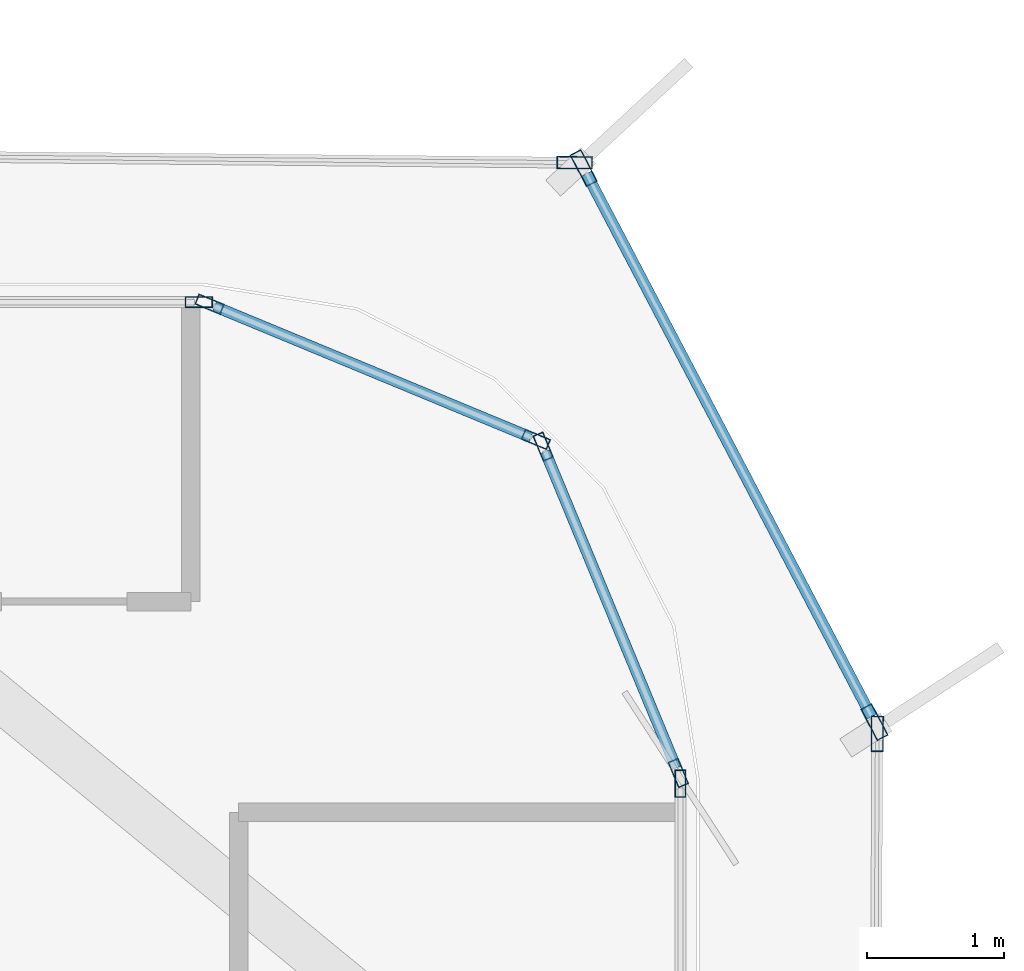
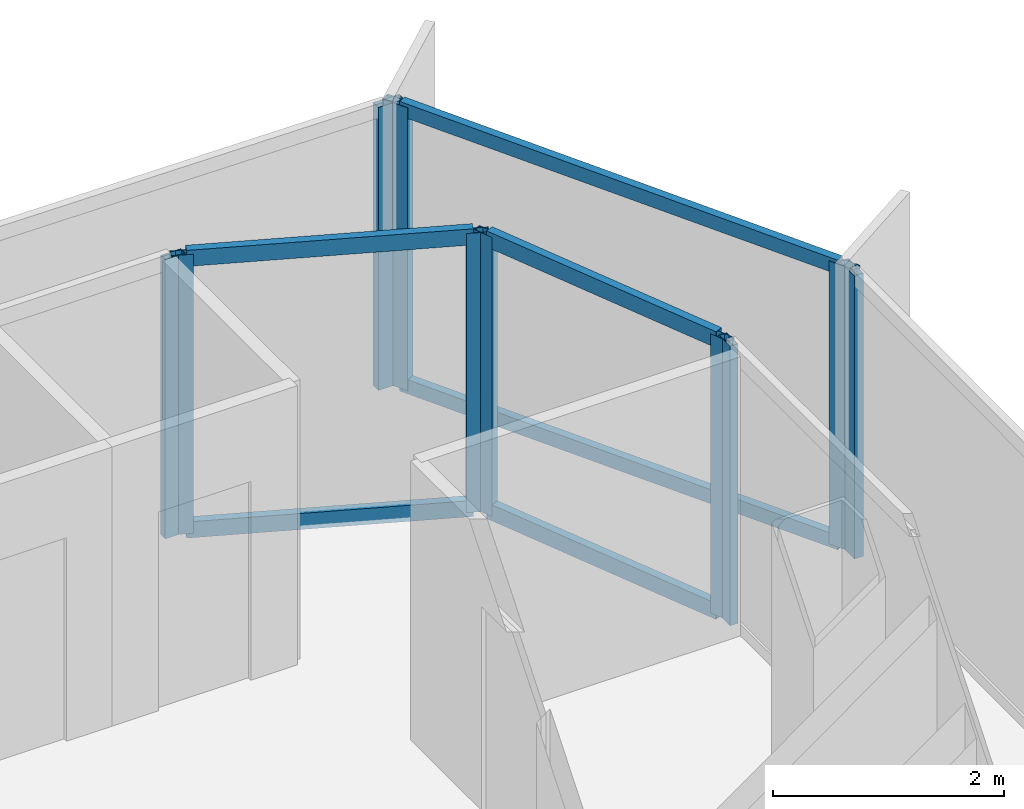
# One storey, part 8 of 15: 16 members, 7 elements without a shape of their own.
"""IFC4 building model written with IfcOpenShell, lengths in metres."""

import ifcopenshell
import ifcopenshell.guid

model = None  # the IFC model being written
_history = None  # IfcOwnerHistory: only IFC2X3 demands one
_inside = {}  # id of a spatial element -> (the spatial element, [elements in it])
_under = {}  # id of a project, library or spatial element -> (it, [spatial elements below it])
_declared = {}  # id of a project -> (the project, [libraries it declares])
_typed = {}  # id of a type object -> (the type object, [elements of that type])
_made_of = {}  # id of a material, layer set ... -> (it, [elements and type objects made of it])


def new_model(schema):
    """Start an empty IFC model of exactly this schema.

    Asked for "IFC4X3", IfcOpenShell would pick the latest addendum, in which some entities
    have other attributes; the version numbers below select the first issue.
    IFC2X3 requires an IfcOwnerHistory on every rooted entity: one is made here for all.
    """
    global model, _history
    if schema == "IFC4X3":
        model = ifcopenshell.file(schema_version=(4, 3, 0, 0))
    else:
        model = ifcopenshell.file(schema=schema)
    _inside.clear()
    _under.clear()
    _declared.clear()
    _typed.clear()
    _made_of.clear()
    _history = None
    if model.schema == "IFC2X3":
        org = make("IfcOrganization", Name="unknown")
        user = make(
            "IfcPersonAndOrganization",
            ThePerson=make("IfcPerson", FamilyName="unknown"),
            TheOrganization=org,
        )
        app = make(
            "IfcApplication",
            ApplicationDeveloper=org,
            Version="unknown",
            ApplicationFullName="unknown",
            ApplicationIdentifier="unknown",
        )
        _history = make(
            "IfcOwnerHistory",
            OwningUser=user,
            OwningApplication=app,
            ChangeAction="ADDED",
            CreationDate=0,
        )
    return model


def make(cls, **values):
    """One entity of the class cls with the attributes given. An attribute that is None is left unset."""
    return model.create_entity(
        cls, **{name: value for name, value in values.items() if value is not None}
    )


def rooted(cls, **values):
    """An entity with a GlobalId (a new one), such as an element, a storey or a relation."""
    return make(cls, GlobalId=ifcopenshell.guid.new(), OwnerHistory=_history, **values)


def si_unit(unit_type, name, prefix=None):
    """IfcSIUnit, for example si_unit("LENGTHUNIT", "METRE", prefix="MILLI")."""
    return make("IfcSIUnit", UnitType=unit_type, Prefix=prefix, Name=name)


def assignment(units):
    """IfcUnitAssignment: the units of a project."""
    return None if units is None else make("IfcUnitAssignment", Units=units)


def point(xyz):
    """IfcCartesianPoint."""
    return None if xyz is None else make("IfcCartesianPoint", Coordinates=xyz)


def direction(xyz):
    """IfcDirection."""
    return None if xyz is None else make("IfcDirection", DirectionRatios=xyz)


def frame(location, z_axis=None, x_axis=None):
    """IfcAxis2Placement3D, a coordinate frame: its origin and axes. An axis left out is left unset."""
    return make(
        "IfcAxis2Placement3D",
        Location=point(location),
        Axis=direction(z_axis),
        RefDirection=direction(x_axis),
    )


def frame_2d(location, x_axis=None):
    """IfcAxis2Placement2D, a coordinate frame in the plane: its origin and x axis."""
    return make(
        "IfcAxis2Placement2D", Location=point(location), RefDirection=direction(x_axis)
    )


def origin():
    """The frame at (0, 0, 0) with its axes left unset."""
    return frame((0.0, 0.0, 0.0))


def origin_2d():
    """The frame at (0, 0) in the plane with its x axis left unset."""
    return frame_2d((0.0, 0.0))


def place(relative_to, where):
    """IfcLocalPlacement: puts the frame where relative to a parent placement (None: the world)."""
    return make(
        "IfcLocalPlacement", PlacementRelTo=relative_to, RelativePlacement=where
    )


def context(
    kind, dimensions, precision=None, world=None, true_north=None, identifier=None
):
    """IfcGeometricRepresentationContext, for example the 3D "Model" context."""
    return make(
        "IfcGeometricRepresentationContext",
        ContextIdentifier=identifier,
        ContextType=kind,
        CoordinateSpaceDimension=dimensions,
        Precision=precision,
        WorldCoordinateSystem=world,
        TrueNorth=true_north,
    )


def subcontext(parent, identifier, kind, view, scale=None):
    """IfcGeometricRepresentationSubContext, for example "Body" below "Model"."""
    return make(
        "IfcGeometricRepresentationSubContext",
        ContextIdentifier=identifier,
        ContextType=kind,
        ParentContext=parent,
        TargetScale=scale,
        TargetView=view,
    )


def project(units=None, contexts=None):
    """IfcProject with its units and contexts."""
    return rooted(
        "IfcProject",
        Name="project",
        RepresentationContexts=contexts,
        UnitsInContext=assignment(units),
    )


def spatial(cls, under=None, at=None, **own):
    """A site, building, storey or space (cls), placed at a placement, below another one or the project."""
    s = rooted(cls, ObjectPlacement=at, **own)
    if under is not None:
        _under.setdefault(under.id(), (under, []))[1].append(s)
    return s


def profile(cls, at=None, kind="AREA", **sizes):
    """A parametric profile (cls). Its sizes go by their IFC names, for example OverallWidth=200.0."""
    return make(cls, ProfileType=kind, Position=at, **sizes)


def hollow_rectangle(**sizes):
    """IfcRectangleHollowProfileDef."""
    return profile("IfcRectangleHollowProfileDef", **sizes)


def extrude(swept, where, along, depth):
    """IfcExtrudedAreaSolid: the profile swept, set in the frame where, extruded along a direction by depth."""
    return make(
        "IfcExtrudedAreaSolid",
        SweptArea=swept,
        Position=where,
        ExtrudedDirection=direction(along),
        Depth=depth,
    )


def shape(context_of_items, identifier, shape_type, items):
    """IfcShapeRepresentation: the items that make up one representation, for example the "Body"."""
    return make(
        "IfcShapeRepresentation",
        ContextOfItems=context_of_items,
        RepresentationIdentifier=identifier,
        RepresentationType=shape_type,
        Items=items,
    )


def source(mapping_origin, context_of_items, identifier, shape_type, items):
    """IfcRepresentationMap: a shape defined once, which mapped items show again and again."""
    return make(
        "IfcRepresentationMap",
        MappingOrigin=mapping_origin,
        MappedRepresentation=shape(context_of_items, identifier, shape_type, items),
    )


def transform(
    local_origin,
    x_axis=None,
    y_axis=None,
    z_axis=None,
    scale=None,
    scale2=None,
    scale3=None,
    uniform=True,
):
    """IfcCartesianTransformationOperator3D, or its non-uniform kind. x_axis, y_axis, z_axis: its Axis1, 2, 3."""
    if uniform:
        return make(
            "IfcCartesianTransformationOperator3D",
            Axis1=direction(x_axis),
            Axis2=direction(y_axis),
            LocalOrigin=point(local_origin),
            Scale=scale,
            Axis3=direction(z_axis),
        )
    return make(
        "IfcCartesianTransformationOperator3DnonUniform",
        Axis1=direction(x_axis),
        Axis2=direction(y_axis),
        LocalOrigin=point(local_origin),
        Scale=scale,
        Axis3=direction(z_axis),
        Scale2=scale2,
        Scale3=scale3,
    )


def mapped(mapping_source, mapping_target):
    """IfcMappedItem: shows the shape of a source again, moved by a transform."""
    return make(
        "IfcMappedItem", MappingSource=mapping_source, MappingTarget=mapping_target
    )


def material(Name=None, Category=None):
    """IfcMaterial."""
    return make("IfcMaterial", Name=Name, Category=Category)


def layer(
    of_material, thickness, ventilated=None, Name=None, Category=None, Priority=None
):
    """IfcMaterialLayer: one layer of a wall or slab, of a material (None: an air gap)."""
    return make(
        "IfcMaterialLayer",
        Material=of_material,
        LayerThickness=thickness,
        IsVentilated=ventilated,
        Name=Name,
        Category=Category,
        Priority=Priority,
    )


def layer_set(layers, Name=None):
    """IfcMaterialLayerSet."""
    return make("IfcMaterialLayerSet", MaterialLayers=layers, LayerSetName=Name)


def material_profile(
    of_material, cross_section, Name=None, Category=None, Priority=None
):
    """IfcMaterialProfile: a cross section and its material."""
    return make(
        "IfcMaterialProfile",
        Name=Name,
        Material=of_material,
        Profile=cross_section,
        Priority=Priority,
        Category=Category,
    )


def profile_set(profiles, Name=None, composite=None):
    """IfcMaterialProfileSet."""
    return make(
        "IfcMaterialProfileSet",
        Name=Name,
        MaterialProfiles=profiles,
        CompositeProfile=composite,
    )


def made_of(thing, what):
    """Note that an element or type object is made of a material, layer set ...; save() writes the relation."""
    if what is not None:
        _made_of.setdefault(what.id(), (what, []))[1].append(thing)
    return thing


def type_object(cls, material=None, **own):
    """A type object (cls), such as IfcWallType, which elements share."""
    return made_of(rooted(cls, **own), material)


def element(
    cls,
    number,
    at=None,
    inside=None,
    cuts=None,
    type_object=None,
    material=None,
    context=None,
    identifier="Body",
    shape_type=None,
    held_by="IfcProductDefinitionShape",
    body=None,
    shapes=None,
    **own,
):
    """One element of the class cls, such as IfcWall. Its Tag is "e" and its number.

    at: its placement. inside: the storey or other place that contains it. cuts: it is an
    opening in that element (IfcRelVoidsElement). A single representation is given by context,
    identifier, shape_type and body (its items); several are given by shapes. held_by: the class
    of the entity that holds the representations. save() writes the other relations.
    """
    e = rooted(cls, Tag="e%d" % number, ObjectPlacement=at, **own)
    if body is not None:
        shapes = [shape(context, identifier, shape_type, body)]
    if shapes is not None:
        e.Representation = make(held_by, Representations=shapes)
    if inside is not None:
        _inside.setdefault(inside.id(), (inside, []))[1].append(e)
    if cuts is not None:
        rooted(
            "IfcRelVoidsElement", RelatingBuildingElement=cuts, RelatedOpeningElement=e
        )
    if type_object is not None:
        _typed.setdefault(type_object.id(), (type_object, []))[1].append(e)
    return made_of(e, material)


def aggregate(whole, parts):
    """IfcRelAggregates: a whole, such as a stair, and the parts it consists of."""
    return rooted("IfcRelAggregates", RelatingObject=whole, RelatedObjects=parts)


def save(model, path):
    """Write the relations noted so far, then the file.

    IfcRelAggregates (storeys below a building ...), IfcRelContainedInSpatialStructure (elements
    in a storey), IfcRelDefinesByType, IfcRelAssociatesMaterial and IfcRelDeclares: one each for
    every whole, place, type object, material and project.
    """
    for whole, parts in _under.values():
        aggregate(whole, parts)
    for where, things in _inside.values():
        rooted(
            "IfcRelContainedInSpatialStructure",
            RelatedElements=things,
            RelatingStructure=where,
        )
    for kind, things in _typed.values():
        rooted("IfcRelDefinesByType", RelatedObjects=things, RelatingType=kind)
    for what, things in _made_of.values():
        rooted("IfcRelAssociatesMaterial", RelatedObjects=things, RelatingMaterial=what)
    for by, libraries in _declared.values():
        rooted("IfcRelDeclares", RelatingContext=by, RelatedDefinitions=libraries)
    model.write(path)


model = new_model("IFC4")

# Units and contexts
model_context = context("Model", 3, precision=1e-05, world=origin(), true_north=direction((0.0, 1.0)))
body_context = subcontext(model_context, "Body", "Model", "MODEL_VIEW")
ifc_project = project(units=[si_unit("LENGTHUNIT", "METRE"), si_unit("AREAUNIT", "SQUARE_METRE"), si_unit("VOLUMEUNIT", "CUBIC_METRE"), si_unit("PLANEANGLEUNIT", "RADIAN"), si_unit("MASSUNIT", "GRAM", prefix="KILO")], contexts=[model_context])

# Site, building, storey
site_placement = place(None, origin())
site = spatial("IfcSite", under=ifc_project, at=site_placement, CompositionType="ELEMENT")
building_placement = place(site_placement, origin())
building = spatial("IfcBuilding", under=site, at=building_placement, Name="Kolveth Station Tower", CompositionType="ELEMENT")
storey_placement = place(building_placement, frame((0.0, 0.0, 199.60009765625)))
storey = spatial("IfcBuildingStorey", under=building, at=storey_placement, Name="L56", CompositionType="ELEMENT", Elevation=199.60009765625)

# Curtain wall, member
ifc_material_1 = material(Name="Aluminium 6063-T6 and low-E dark glass", Category="aluminium")
ifc_layer_1 = layer(ifc_material_1, 0.18994140625)
ifc_layer_set_1 = layer_set([ifc_layer_1], Name="Aluminium 6063-T6 and low-E dark glass")
curtain_wall_type_1 = type_object("IfcCurtainWallType", Name="CurtainWall_CW-Z2", PredefinedType="NOTDEFINED", material=ifc_layer_set_1)
curtain_wall_1_placement = place(storey_placement, origin())
curtain_wall_1 = element("IfcCurtainWall", 1, at=curtain_wall_1_placement, inside=storey, type_object=curtain_wall_type_1, Name="L56 Inner Thermal Curtain Wall 3", PredefinedType="NOTDEFINED")
ifc_material_2 = material(Name="Black anodized aluminium 6063-T6", Category="aluminium")
ifc_material_profile_1 = material_profile(ifc_material_2, hollow_rectangle(XDim=0.080078125, YDim=0.199951171875, WallThickness=0.0048828125, at=origin_2d()), Name="ALU-80x200x5")
ifc_profile_set_1 = profile_set([ifc_material_profile_1], Name="Black anodized aluminium 6063-T6")
member_type_1 = type_object("IfcMemberType", Name="Mullion_ML2", PredefinedType="MULLION", material=ifc_profile_set_1)
shared_shape_1 = source(origin(), body_context, "Body", "SweptSolid", [
    extrude(hollow_rectangle(XDim=0.080078125, YDim=0.199951171875, WallThickness=0.0048828125, at=origin_2d()), origin(), (0.0, 0.0, 1.0), 2.949951171875),
])
member_1_placement = place(storey_placement, frame((41.679931640625, 31.659912109375, 0.0), z_axis=(0.0, 0.0, 1.0), x_axis=(-1.0, 0.0, 0.0)))
member_1 = element("IfcMember", 2, at=member_1_placement, type_object=member_type_1, Name="CW-Z2 mullion 2", PredefinedType="MULLION", context=body_context, shape_type="MappedRepresentation", body=[
    mapped(shared_shape_1, transform((0.0, 0.0, 0.0), x_axis=(1.0, 0.0, 0.0), y_axis=(0.0, 1.0, 0.0), z_axis=(0.0, 0.0, 1.0), scale=1.0)),
])
aggregate(curtain_wall_1, [member_1])

# Curtain wall, members
curtain_wall_2_placement = place(storey_placement, origin())
curtain_wall_2 = element("IfcCurtainWall", 3, at=curtain_wall_2_placement, inside=storey, type_object=curtain_wall_type_1, Name="L56 Inner Thermal Curtain Wall 4", PredefinedType="NOTDEFINED")
member_2_placement = place(storey_placement, frame((41.664794921875, 31.737060546875, 0.0), z_axis=(0.0, 0.0, 1.0), x_axis=(-0.923873600544, -0.382697753087, 0.0)))
member_2 = element("IfcMember", 4, at=member_2_placement, type_object=member_type_1, Name="CW-Z2 mullion 1", PredefinedType="MULLION", context=body_context, shape_type="MappedRepresentation", body=[
    mapped(shared_shape_1, transform((0.0, 0.0, 0.0), x_axis=(1.0, 0.0, 0.0), y_axis=(0.0, 1.0, 0.0), z_axis=(0.0, 0.0, 1.0), scale=1.0)),
])
member_3_placement = place(storey_placement, frame((40.676025390625, 34.123779296875, 0.0), z_axis=(0.0, 0.0, 1.0), x_axis=(-0.923873600544, -0.382697753087, 0.0)))
member_3 = element("IfcMember", 5, at=member_3_placement, type_object=member_type_1, Name="CW-Z2 mullion 2", PredefinedType="MULLION", context=body_context, shape_type="MappedRepresentation", body=[
    mapped(shared_shape_1, transform((0.0, 0.0, 0.0), x_axis=(1.0, 0.0, 0.0), y_axis=(0.0, 1.0, 0.0), z_axis=(0.0, 0.0, 1.0), scale=1.0)),
])

curtain_wall_3_placement = place(storey_placement, origin())
curtain_wall_3 = element("IfcCurtainWall", 6, at=curtain_wall_3_placement, inside=storey, type_object=curtain_wall_type_1, Name="L56 Inner Thermal Curtain Wall 5", PredefinedType="NOTDEFINED")
member_4_placement = place(storey_placement, frame((40.623779296875, 34.176025390625, 0.0), z_axis=(0.0, 0.0, 1.0), x_axis=(-0.382697753087, -0.923873600544, 0.0)))
member_4 = element("IfcMember", 7, at=member_4_placement, type_object=member_type_1, Name="CW-Z2 mullion 1", PredefinedType="MULLION", context=body_context, shape_type="MappedRepresentation", body=[
    mapped(shared_shape_1, transform((0.0, 0.0, 0.0), x_axis=(1.0, 0.0, 0.0), y_axis=(0.0, 1.0, 0.0), z_axis=(0.0, 0.0, 1.0), scale=1.0)),
])
member_5_placement = place(storey_placement, frame((38.237060546875, 35.164794921875, 0.0), z_axis=(0.0, 0.0, 1.0), x_axis=(-0.382697753087, -0.923873600544, 0.0)))
member_5 = element("IfcMember", 8, at=member_5_placement, type_object=member_type_1, Name="CW-Z2 mullion 2", PredefinedType="MULLION", context=body_context, shape_type="MappedRepresentation", body=[
    mapped(shared_shape_1, transform((0.0, 0.0, 0.0), x_axis=(1.0, 0.0, 0.0), y_axis=(0.0, 1.0, 0.0), z_axis=(0.0, 0.0, 1.0), scale=1.0)),
])

# Curtain wall, member
curtain_wall_4_placement = place(storey_placement, origin())
curtain_wall_4 = element("IfcCurtainWall", 9, at=curtain_wall_4_placement, inside=storey, type_object=curtain_wall_type_1, Name="L56 Inner Thermal Curtain Wall 6", PredefinedType="NOTDEFINED")
member_6_placement = place(storey_placement, frame((38.159912109375, 35.179931640625, 0.0), z_axis=(0.0, 0.0, 1.0), x_axis=(0.0, -1.0, 0.0)))
member_6 = element("IfcMember", 10, at=member_6_placement, type_object=member_type_1, Name="CW-Z2 mullion 1", PredefinedType="MULLION", context=body_context, shape_type="MappedRepresentation", body=[
    mapped(shared_shape_1, transform((0.0, 0.0, 0.0), x_axis=(1.0, 0.0, 0.0), y_axis=(0.0, 1.0, 0.0), z_axis=(0.0, 0.0, 1.0), scale=1.0)),
])
aggregate(curtain_wall_4, [member_6])

ifc_material_3 = material(Name="Black anodized aluminium 6063-T6 and dark solar glass", Category="aluminium")
ifc_layer_2 = layer(ifc_material_3, 0.159912109375)
ifc_layer_set_2 = layer_set([ifc_layer_2], Name="Black anodized aluminium 6063-T6 and dark solar glass")
curtain_wall_type_2 = type_object("IfcCurtainWallType", Name="OUTER SKIN CW-OS", PredefinedType="NOTDEFINED", material=ifc_layer_set_2)
curtain_wall_5_placement = place(storey_placement, origin())
curtain_wall_5 = element("IfcCurtainWall", 11, at=curtain_wall_5_placement, inside=storey, type_object=curtain_wall_type_2, Name="L56 Outer Ventilated Skin Curtain Wall 2", PredefinedType="NOTDEFINED")
ifc_material_profile_2 = material_profile(ifc_material_2, hollow_rectangle(XDim=0.090087890625, YDim=0.260009765625, WallThickness=0.0048828125, at=origin_2d()), Name="ALU-90x260x5")
ifc_profile_set_2 = profile_set([ifc_material_profile_2], Name="Black anodized aluminium 6063-T6")
member_type_2 = type_object("IfcMemberType", Name="FIN MULLION ML-OS", PredefinedType="MULLION", material=ifc_profile_set_2)
shared_shape_2 = source(origin(), body_context, "Body", "SweptSolid", [
    extrude(hollow_rectangle(XDim=0.090087890625, YDim=0.260009765625, WallThickness=0.0048828125, at=origin_2d()), origin(), (0.0, 0.0, 1.0), 2.989990234375),
])
member_7_placement = place(storey_placement, frame((43.119384765625, 32.02392578125, 0.0), z_axis=(0.0, 0.0, 1.0), x_axis=(-0.999989792407, 0.004518305281, 0.0)))
member_7 = element("IfcMember", 12, at=member_7_placement, type_object=member_type_2, Name="CW-OS mullion 2", PredefinedType="MULLION", context=body_context, shape_type="MappedRepresentation", body=[
    mapped(shared_shape_2, transform((0.0, 0.0, 0.0), x_axis=(1.0, 0.0, 0.0), y_axis=(0.0, 1.0, 0.0), z_axis=(0.0, 0.0, 1.0), scale=1.0)),
])
aggregate(curtain_wall_5, [member_7])

# Curtain wall, members
curtain_wall_6_placement = place(storey_placement, origin())
curtain_wall_6 = element("IfcCurtainWall", 13, at=curtain_wall_6_placement, inside=storey, type_object=curtain_wall_type_2, Name="L56 Outer Ventilated Skin Curtain Wall 3", PredefinedType="NOTDEFINED")
member_8_placement = place(storey_placement, frame((43.0986328125, 32.10888671875, 0.0), z_axis=(0.0, 0.0, 1.0), x_axis=(-0.885456565236, -0.464722143953, 0.0)))
member_8 = element("IfcMember", 14, at=member_8_placement, type_object=member_type_2, Name="CW-OS mullion 1", PredefinedType="MULLION", context=body_context, shape_type="MappedRepresentation", body=[
    mapped(shared_shape_2, transform((0.0, 0.0, 0.0), x_axis=(1.0, 0.0, 0.0), y_axis=(0.0, 1.0, 0.0), z_axis=(0.0, 0.0, 1.0), scale=1.0)),
])
member_9_placement = place(storey_placement, frame((40.97265625, 36.15966796875, 0.0), z_axis=(0.0, 0.0, 1.0), x_axis=(-0.885456565236, -0.464722143953, 0.0)))
member_9 = element("IfcMember", 15, at=member_9_placement, type_object=member_type_2, Name="CW-OS mullion 2", PredefinedType="MULLION", context=body_context, shape_type="MappedRepresentation", body=[
    mapped(shared_shape_2, transform((0.0, 0.0, 0.0), x_axis=(1.0, 0.0, 0.0), y_axis=(0.0, 1.0, 0.0), z_axis=(0.0, 0.0, 1.0), scale=1.0)),
])

# Curtain wall, member
curtain_wall_7_placement = place(storey_placement, origin())
curtain_wall_7 = element("IfcCurtainWall", 16, at=curtain_wall_7_placement, inside=storey, type_object=curtain_wall_type_2, Name="L56 Outer Ventilated Skin Curtain Wall 4", PredefinedType="NOTDEFINED")
member_10_placement = place(storey_placement, frame((40.90673828125, 36.199951171875, 0.0), z_axis=(0.0, 0.0, 1.0), x_axis=(-0.009501450285, -0.999954860202, 0.0)))
member_10 = element("IfcMember", 17, at=member_10_placement, type_object=member_type_2, Name="CW-OS mullion 1", PredefinedType="MULLION", context=body_context, shape_type="MappedRepresentation", body=[
    mapped(shared_shape_2, transform((0.0, 0.0, 0.0), x_axis=(1.0, 0.0, 0.0), y_axis=(0.0, 1.0, 0.0), z_axis=(0.0, 0.0, 1.0), scale=1.0)),
])
aggregate(curtain_wall_7, [member_10])

# Member
ifc_material_profile_3 = material_profile(ifc_material_2, hollow_rectangle(XDim=0.080078125, YDim=0.169921875, WallThickness=0.0048828125, at=origin_2d()), Name="ALU-80x170x5")
ifc_profile_set_3 = profile_set([ifc_material_profile_3], Name="Black anodized aluminium 6063-T6")
member_type_3 = type_object("IfcMemberType", Name="Transom_TR2", PredefinedType="USERDEFINED", material=ifc_profile_set_3)
shared_shape_3 = source(origin(), body_context, "Body", "SweptSolid", [
    extrude(hollow_rectangle(XDim=0.080078125, YDim=0.169921875, WallThickness=0.0048828125, at=origin_2d()), origin(), (0.0, 0.0, 1.0), 2.50341796875),
])
member_11_placement = place(storey_placement, frame((41.6494140625, 31.77392578125, 0.039794921875), z_axis=(-0.382696328882, 0.923874190494, 0.0), x_axis=(-0.923874190494, -0.382696328882, 0.0)))
member_11 = element("IfcMember", 18, at=member_11_placement, type_object=member_type_3, Name="CW-Z2 transom 1.1", ObjectType="TRANSOM", PredefinedType="USERDEFINED", context=body_context, shape_type="MappedRepresentation", body=[
    mapped(shared_shape_3, transform((0.0, 0.0, 0.0), x_axis=(1.0, 0.0, 0.0), y_axis=(0.0, 1.0, 0.0), z_axis=(0.0, 0.0, 1.0), scale=1.0)),
])

member_12_placement = place(storey_placement, frame((41.6494140625, 31.77392578125, 2.909912109375), z_axis=(-0.382696328882, 0.923874190494, 0.0), x_axis=(-0.923874190494, -0.382696328882, 0.0)))
member_12 = element("IfcMember", 19, at=member_12_placement, type_object=member_type_3, Name="CW-Z2 transom 1.2", ObjectType="TRANSOM", PredefinedType="USERDEFINED", context=body_context, shape_type="MappedRepresentation", body=[
    mapped(shared_shape_3, transform((0.0, 0.0, 0.0), x_axis=(1.0, 0.0, 0.0), y_axis=(0.0, 1.0, 0.0), z_axis=(0.0, 0.0, 1.0), scale=1.0)),
])

aggregate(curtain_wall_2, [member_2, member_3, member_11, member_12])

member_13_placement = place(storey_placement, frame((40.586669921875, 34.19140625, 0.039794921875), z_axis=(-0.923874190494, 0.382696328882, 0.0), x_axis=(-0.382696328882, -0.923874190494, 0.0)))
member_13 = element("IfcMember", 20, at=member_13_placement, type_object=member_type_3, Name="CW-Z2 transom 1.1", ObjectType="TRANSOM", PredefinedType="USERDEFINED", context=body_context, shape_type="MappedRepresentation", body=[
    mapped(shared_shape_3, transform((0.0, 0.0, 0.0), x_axis=(1.0, 0.0, 0.0), y_axis=(0.0, 1.0, 0.0), z_axis=(0.0, 0.0, 1.0), scale=1.0)),
])

member_14_placement = place(storey_placement, frame((40.586669921875, 34.19140625, 2.909912109375), z_axis=(-0.923874190494, 0.382696328882, 0.0), x_axis=(-0.382696328882, -0.923874190494, 0.0)))
member_14 = element("IfcMember", 21, at=member_14_placement, type_object=member_type_3, Name="CW-Z2 transom 1.2", ObjectType="TRANSOM", PredefinedType="USERDEFINED", context=body_context, shape_type="MappedRepresentation", body=[
    mapped(shared_shape_3, transform((0.0, 0.0, 0.0), x_axis=(1.0, 0.0, 0.0), y_axis=(0.0, 1.0, 0.0), z_axis=(0.0, 0.0, 1.0), scale=1.0)),
])

aggregate(curtain_wall_3, [member_4, member_5, member_13, member_14])

ifc_material_profile_4 = material_profile(ifc_material_2, hollow_rectangle(XDim=0.080078125, YDim=0.14990234375, WallThickness=0.0048828125, at=origin_2d()), Name="ALU-80x150x5")
ifc_profile_set_4 = profile_set([ifc_material_profile_4], Name="Black anodized aluminium 6063-T6")
member_type_4 = type_object("IfcMemberType", Name="Transom_TR-OS", PredefinedType="USERDEFINED", material=ifc_profile_set_4)
shared_shape_4 = source(origin(), body_context, "Body", "SweptSolid", [
    extrude(hollow_rectangle(XDim=0.080078125, YDim=0.14990234375, WallThickness=0.0048828125, at=origin_2d()), origin(), (0.0, 0.0, 1.0), 4.485107421875),
])
member_15_placement = place(storey_placement, frame((43.077880859375, 32.148681640625, 0.039794921875), z_axis=(-0.464763487126, 0.885434865495, 0.0), x_axis=(-0.885434865495, -0.464763487126, 0.0)))
member_15 = element("IfcMember", 22, at=member_15_placement, type_object=member_type_4, Name="CW-OS transom 1.1", ObjectType="TRANSOM", PredefinedType="USERDEFINED", context=body_context, shape_type="MappedRepresentation", body=[
    mapped(shared_shape_4, transform((0.0, 0.0, 0.0), x_axis=(1.0, 0.0, 0.0), y_axis=(0.0, 1.0, 0.0), z_axis=(0.0, 0.0, 1.0), scale=1.0)),
])

member_16_placement = place(storey_placement, frame((43.077880859375, 32.148681640625, 2.949951171875), z_axis=(-0.464763487126, 0.885434865495, 0.0), x_axis=(-0.885434865495, -0.464763487126, 0.0)))
member_16 = element("IfcMember", 23, at=member_16_placement, type_object=member_type_4, Name="CW-OS transom 1.2", ObjectType="TRANSOM", PredefinedType="USERDEFINED", context=body_context, shape_type="MappedRepresentation", body=[
    mapped(shared_shape_4, transform((0.0, 0.0, 0.0), x_axis=(1.0, 0.0, 0.0), y_axis=(0.0, 1.0, 0.0), z_axis=(0.0, 0.0, 1.0), scale=1.0)),
])

aggregate(curtain_wall_6, [member_8, member_9, member_15, member_16])

save(model, "model.ifc")
